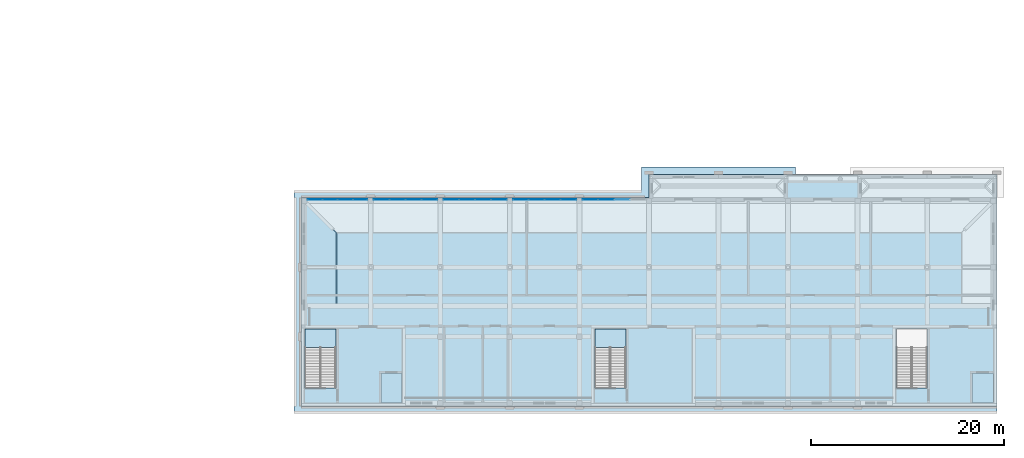
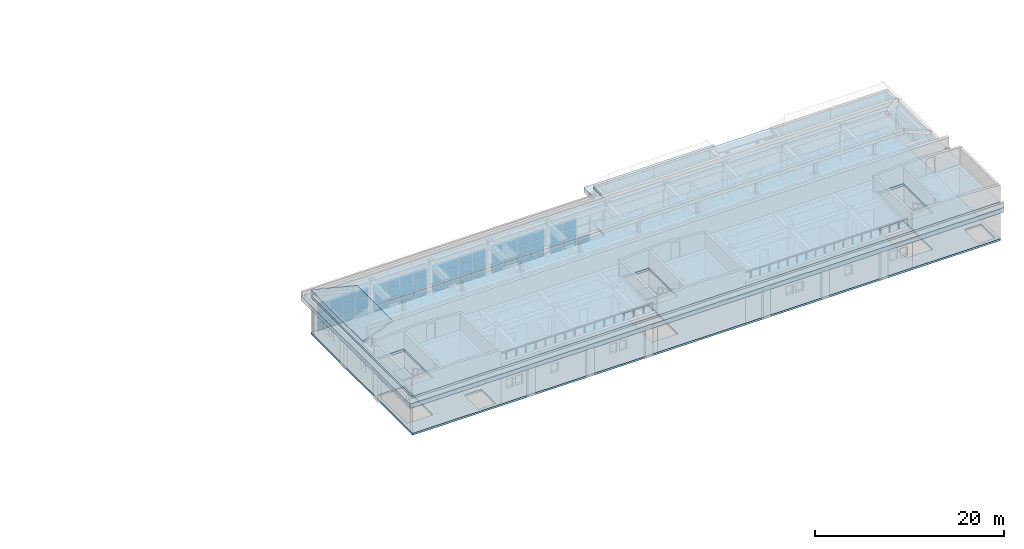
# One storey, part 25 of 48: 55 plates, 6 slabs, 7 elements without a shape of their own.
"""IFC4 building model written with IfcOpenShell, lengths in metres."""

from ifc_helpers import new_model, si_unit, direction, frame, origin, origin_2d, place, context, subcontext, project, spatial, polyline, rectangle, outline, extrude, material, layer, layer_set, type_object, element, aggregate, save


model = new_model("IFC4")

# Units and contexts
model_context = context("Model", 3, precision=1e-05, world=origin(), true_north=direction((0.0, 1.0)))
body_context = subcontext(model_context, "Body", "Model", "MODEL_VIEW")
ifc_project = project(units=[si_unit("LENGTHUNIT", "METRE"), si_unit("AREAUNIT", "SQUARE_METRE"), si_unit("VOLUMEUNIT", "CUBIC_METRE"), si_unit("PLANEANGLEUNIT", "RADIAN"), si_unit("MASSUNIT", "GRAM", prefix="KILO")], contexts=[model_context])

# Site, building, storey
site_placement = place(None, origin())
site = spatial("IfcSite", under=ifc_project, at=site_placement, CompositionType="ELEMENT")
building_placement = place(site_placement, origin())
building = spatial("IfcBuilding", under=site, at=building_placement, Name="Alderwick Market Hall", CompositionType="ELEMENT")
storey_placement = place(building_placement, frame((0.0, 0.0, 14.39990234375)))
storey = spatial("IfcBuildingStorey", under=building, at=storey_placement, Name="L02", CompositionType="ELEMENT", Elevation=14.39990234375)

# Slab
ifc_material_1 = material(Name="Concrete 5000 psi (f'c 35 MPa)", Category="concrete")
ifc_layer_1 = layer(ifc_material_1, 0.60009765625)
ifc_layer_set_1 = layer_set([ifc_layer_1], Name="Concrete 5000 psi (f'c 35 MPa)")
slab_type_1 = type_object("IfcSlabType", Name="C Cornice Slab Precast Concrete 5000 psi 600", PredefinedType="ROOF", material=ifc_layer_set_1)
slab_1_placement = place(storey_placement, frame((0.0, 0.0, 3.900146484375)))
element("IfcSlab", 1, at=slab_1_placement, inside=storey, type_object=slab_type_1, Name="C.cornice.L02.01", PredefinedType="ROOF", context=body_context, shape_type="SweptSolid", body=[
    extrude(outline(polyline([(193.64990234375, 31.949951171875), (193.64990234375, 29.550048828125), (157.64990234375, 29.550048828125), (157.64990234375, 6.449951171875), (230.39990234375, 6.449951171875), (230.39990234375, 7.199951171875), (158.39990234375, 7.199951171875), (158.39990234375, 28.800048828125), (193.64990234375, 28.800048828125), (194.39990234375, 28.800048828125), (194.39990234375, 31.199951171875), (208.800048828125, 31.199951171875), (209.550048828125, 31.199951171875), (209.550048828125, 31.949951171875), (193.64990234375, 31.949951171875)])), origin(), (0.0, 0.0, 1.0), 0.599853515625),
])

# Curtain wall, plates
ifc_material_2 = material(Name="C Curtain Wall 1800 module")
curtain_wall_type = type_object("IfcCurtainWallType", Name="C Curtain Wall 1800 module", PredefinedType="NOTDEFINED", material=ifc_material_2)
curtain_wall_1_placement = place(storey_placement, origin())
curtain_wall_1 = element("IfcCurtainWall", 2, at=curtain_wall_1_placement, inside=storey, type_object=curtain_wall_type, Name="C.cw.L02.02", PredefinedType="NOTDEFINED")
ifc_material_3 = material(Name="Laminated glass 28 mm", Category="glass")
ifc_layer_2 = layer(ifc_material_3, 0.028076171875)
ifc_layer_set_2 = layer_set([ifc_layer_2], Name="Laminated glass 28 mm")
plate_type = type_object("IfcPlateType", Name="C Curtain Wall Glass Panel 28", PredefinedType="CURTAIN_PANEL", material=ifc_layer_set_2)
plate_1_placement = place(storey_placement, frame((159.827392578125, 28.60009765625, 0.06005859375), z_axis=(0.0, 0.0, 1.0), x_axis=(1.0, 0.0, 0.0)))
plate_1 = element("IfcPlate", 3, at=plate_1_placement, type_object=plate_type, Name="C-CW panel 1.1", PredefinedType="CURTAIN_PANEL", context=body_context, shape_type="SweptSolid", body=[
    extrude(rectangle(XDim=1.485107421875, YDim=0.028076171875, at=origin_2d()), origin(), (0.0, 0.0, 1.0), 0.909912109375),
])
plate_2_placement = place(storey_placement, frame((159.827392578125, 28.60009765625, 1.0302734375), z_axis=(0.0, 0.0, 1.0), x_axis=(1.0, 0.0, 0.0)))
plate_2 = element("IfcPlate", 4, at=plate_2_placement, type_object=plate_type, Name="C-CW panel 1.2", PredefinedType="CURTAIN_PANEL", context=body_context, shape_type="SweptSolid", body=[
    extrude(rectangle(XDim=1.485107421875, YDim=0.028076171875, at=origin_2d()), origin(), (0.0, 0.0, 1.0), 1.340087890625),
])
plate_3_placement = place(storey_placement, frame((159.827392578125, 28.60009765625, 2.43017578125), z_axis=(0.0, 0.0, 1.0), x_axis=(1.0, 0.0, 0.0)))
plate_3 = element("IfcPlate", 5, at=plate_3_placement, type_object=plate_type, Name="C-CW panel 1.3", PredefinedType="CURTAIN_PANEL", context=body_context, shape_type="SweptSolid", body=[
    extrude(rectangle(XDim=1.485107421875, YDim=0.028076171875, at=origin_2d()), origin(), (0.0, 0.0, 1.0), 1.2099609375),
])
plate_4_placement = place(storey_placement, frame((161.387451171875, 28.60009765625, 0.06005859375), z_axis=(0.0, 0.0, 1.0), x_axis=(1.0, 0.0, 0.0)))
plate_4 = element("IfcPlate", 6, at=plate_4_placement, type_object=plate_type, Name="C-CW panel 2.1", PredefinedType="CURTAIN_PANEL", context=body_context, shape_type="SweptSolid", body=[
    extrude(rectangle(XDim=1.514892578125, YDim=0.028076171875, at=origin_2d()), origin(), (0.0, 0.0, 1.0), 0.909912109375),
])
plate_5_placement = place(storey_placement, frame((161.387451171875, 28.60009765625, 1.0302734375), z_axis=(0.0, 0.0, 1.0), x_axis=(1.0, 0.0, 0.0)))
plate_5 = element("IfcPlate", 7, at=plate_5_placement, type_object=plate_type, Name="C-CW panel 2.2", PredefinedType="CURTAIN_PANEL", context=body_context, shape_type="SweptSolid", body=[
    extrude(rectangle(XDim=1.514892578125, YDim=0.028076171875, at=origin_2d()), origin(), (0.0, 0.0, 1.0), 1.340087890625),
])
plate_6_placement = place(storey_placement, frame((161.387451171875, 28.60009765625, 2.43017578125), z_axis=(0.0, 0.0, 1.0), x_axis=(1.0, 0.0, 0.0)))
plate_6 = element("IfcPlate", 8, at=plate_6_placement, type_object=plate_type, Name="C-CW panel 2.3", PredefinedType="CURTAIN_PANEL", context=body_context, shape_type="SweptSolid", body=[
    extrude(rectangle(XDim=1.514892578125, YDim=0.028076171875, at=origin_2d()), origin(), (0.0, 0.0, 1.0), 1.2099609375),
])
plate_7_placement = place(storey_placement, frame((162.96240234375, 28.60009765625, 0.06005859375), z_axis=(0.0, 0.0, 1.0), x_axis=(1.0, 0.0, 0.0)))
plate_7 = element("IfcPlate", 9, at=plate_7_placement, type_object=plate_type, Name="C-CW panel 3.1", PredefinedType="CURTAIN_PANEL", context=body_context, shape_type="SweptSolid", body=[
    extrude(rectangle(XDim=1.514892578125, YDim=0.028076171875, at=origin_2d()), origin(), (0.0, 0.0, 1.0), 0.909912109375),
])
plate_8_placement = place(storey_placement, frame((162.96240234375, 28.60009765625, 1.0302734375), z_axis=(0.0, 0.0, 1.0), x_axis=(1.0, 0.0, 0.0)))
plate_8 = element("IfcPlate", 10, at=plate_8_placement, type_object=plate_type, Name="C-CW panel 3.2", PredefinedType="CURTAIN_PANEL", context=body_context, shape_type="SweptSolid", body=[
    extrude(rectangle(XDim=1.514892578125, YDim=0.028076171875, at=origin_2d()), origin(), (0.0, 0.0, 1.0), 1.340087890625),
])
plate_9_placement = place(storey_placement, frame((162.96240234375, 28.60009765625, 2.43017578125), z_axis=(0.0, 0.0, 1.0), x_axis=(1.0, 0.0, 0.0)))
plate_9 = element("IfcPlate", 11, at=plate_9_placement, type_object=plate_type, Name="C-CW panel 3.3", PredefinedType="CURTAIN_PANEL", context=body_context, shape_type="SweptSolid", body=[
    extrude(rectangle(XDim=1.514892578125, YDim=0.028076171875, at=origin_2d()), origin(), (0.0, 0.0, 1.0), 1.2099609375),
])
plate_10_placement = place(storey_placement, frame((164.5224609375, 28.60009765625, 0.06005859375), z_axis=(0.0, 0.0, 1.0), x_axis=(1.0, 0.0, 0.0)))
plate_10 = element("IfcPlate", 12, at=plate_10_placement, type_object=plate_type, Name="C-CW panel 4.1", PredefinedType="CURTAIN_PANEL", context=body_context, shape_type="SweptSolid", body=[
    extrude(rectangle(XDim=1.485107421875, YDim=0.028076171875, at=origin_2d()), origin(), (0.0, 0.0, 1.0), 0.909912109375),
])
plate_11_placement = place(storey_placement, frame((164.5224609375, 28.60009765625, 1.0302734375), z_axis=(0.0, 0.0, 1.0), x_axis=(1.0, 0.0, 0.0)))
plate_11 = element("IfcPlate", 13, at=plate_11_placement, type_object=plate_type, Name="C-CW panel 4.2", PredefinedType="CURTAIN_PANEL", context=body_context, shape_type="SweptSolid", body=[
    extrude(rectangle(XDim=1.485107421875, YDim=0.028076171875, at=origin_2d()), origin(), (0.0, 0.0, 1.0), 1.340087890625),
])
plate_12_placement = place(storey_placement, frame((164.5224609375, 28.60009765625, 2.43017578125), z_axis=(0.0, 0.0, 1.0), x_axis=(1.0, 0.0, 0.0)))
plate_12 = element("IfcPlate", 14, at=plate_12_placement, type_object=plate_type, Name="C-CW panel 4.3", PredefinedType="CURTAIN_PANEL", context=body_context, shape_type="SweptSolid", body=[
    extrude(rectangle(XDim=1.485107421875, YDim=0.028076171875, at=origin_2d()), origin(), (0.0, 0.0, 1.0), 1.2099609375),
])
aggregate(curtain_wall_1, [plate_1, plate_2, plate_3, plate_4, plate_5, plate_6, plate_7, plate_8, plate_9, plate_10, plate_11, plate_12])

curtain_wall_2_placement = place(storey_placement, origin())
curtain_wall_2 = element("IfcCurtainWall", 15, at=curtain_wall_2_placement, inside=storey, type_object=curtain_wall_type, Name="C.cw.L02.03", PredefinedType="NOTDEFINED")
plate_13_placement = place(storey_placement, frame((166.72119140625, 28.60009765625, 0.06005859375), z_axis=(0.0, 0.0, 1.0), x_axis=(1.0, 0.0, 0.0)))
plate_13 = element("IfcPlate", 16, at=plate_13_placement, type_object=plate_type, Name="C-CW panel 1.1", PredefinedType="CURTAIN_PANEL", context=body_context, shape_type="SweptSolid", body=[
    extrude(rectangle(XDim=1.572509765625, YDim=0.028076171875, at=origin_2d()), origin(), (0.0, 0.0, 1.0), 0.909912109375),
])
plate_14_placement = place(storey_placement, frame((166.72119140625, 28.60009765625, 1.0302734375), z_axis=(0.0, 0.0, 1.0), x_axis=(1.0, 0.0, 0.0)))
plate_14 = element("IfcPlate", 17, at=plate_14_placement, type_object=plate_type, Name="C-CW panel 1.2", PredefinedType="CURTAIN_PANEL", context=body_context, shape_type="SweptSolid", body=[
    extrude(rectangle(XDim=1.572509765625, YDim=0.028076171875, at=origin_2d()), origin(), (0.0, 0.0, 1.0), 1.340087890625),
])
plate_15_placement = place(storey_placement, frame((166.72119140625, 28.60009765625, 2.43017578125), z_axis=(0.0, 0.0, 1.0), x_axis=(1.0, 0.0, 0.0)))
plate_15 = element("IfcPlate", 18, at=plate_15_placement, type_object=plate_type, Name="C-CW panel 1.3", PredefinedType="CURTAIN_PANEL", context=body_context, shape_type="SweptSolid", body=[
    extrude(rectangle(XDim=1.572509765625, YDim=0.028076171875, at=origin_2d()), origin(), (0.0, 0.0, 1.0), 1.2099609375),
])
plate_16_placement = place(storey_placement, frame((168.36865234375, 28.60009765625, 0.06005859375), z_axis=(0.0, 0.0, 1.0), x_axis=(1.0, 0.0, 0.0)))
plate_16 = element("IfcPlate", 19, at=plate_16_placement, type_object=plate_type, Name="C-CW panel 2.1", PredefinedType="CURTAIN_PANEL", context=body_context, shape_type="SweptSolid", body=[
    extrude(rectangle(XDim=1.6025390625, YDim=0.028076171875, at=origin_2d()), origin(), (0.0, 0.0, 1.0), 0.909912109375),
])
plate_17_placement = place(storey_placement, frame((168.36865234375, 28.60009765625, 1.0302734375), z_axis=(0.0, 0.0, 1.0), x_axis=(1.0, 0.0, 0.0)))
plate_17 = element("IfcPlate", 20, at=plate_17_placement, type_object=plate_type, Name="C-CW panel 2.2", PredefinedType="CURTAIN_PANEL", context=body_context, shape_type="SweptSolid", body=[
    extrude(rectangle(XDim=1.6025390625, YDim=0.028076171875, at=origin_2d()), origin(), (0.0, 0.0, 1.0), 1.340087890625),
])
plate_18_placement = place(storey_placement, frame((168.36865234375, 28.60009765625, 2.43017578125), z_axis=(0.0, 0.0, 1.0), x_axis=(1.0, 0.0, 0.0)))
plate_18 = element("IfcPlate", 21, at=plate_18_placement, type_object=plate_type, Name="C-CW panel 2.3", PredefinedType="CURTAIN_PANEL", context=body_context, shape_type="SweptSolid", body=[
    extrude(rectangle(XDim=1.6025390625, YDim=0.028076171875, at=origin_2d()), origin(), (0.0, 0.0, 1.0), 1.2099609375),
])
plate_19_placement = place(storey_placement, frame((170.03125, 28.60009765625, 0.06005859375), z_axis=(0.0, 0.0, 1.0), x_axis=(1.0, 0.0, 0.0)))
plate_19 = element("IfcPlate", 22, at=plate_19_placement, type_object=plate_type, Name="C-CW panel 3.1", PredefinedType="CURTAIN_PANEL", context=body_context, shape_type="SweptSolid", body=[
    extrude(rectangle(XDim=1.6025390625, YDim=0.028076171875, at=origin_2d()), origin(), (0.0, 0.0, 1.0), 0.909912109375),
])
plate_20_placement = place(storey_placement, frame((170.03125, 28.60009765625, 1.0302734375), z_axis=(0.0, 0.0, 1.0), x_axis=(1.0, 0.0, 0.0)))
plate_20 = element("IfcPlate", 23, at=plate_20_placement, type_object=plate_type, Name="C-CW panel 3.2", PredefinedType="CURTAIN_PANEL", context=body_context, shape_type="SweptSolid", body=[
    extrude(rectangle(XDim=1.6025390625, YDim=0.028076171875, at=origin_2d()), origin(), (0.0, 0.0, 1.0), 1.340087890625),
])
plate_21_placement = place(storey_placement, frame((170.03125, 28.60009765625, 2.43017578125), z_axis=(0.0, 0.0, 1.0), x_axis=(1.0, 0.0, 0.0)))
plate_21 = element("IfcPlate", 24, at=plate_21_placement, type_object=plate_type, Name="C-CW panel 3.3", PredefinedType="CURTAIN_PANEL", context=body_context, shape_type="SweptSolid", body=[
    extrude(rectangle(XDim=1.6025390625, YDim=0.028076171875, at=origin_2d()), origin(), (0.0, 0.0, 1.0), 1.2099609375),
])
plate_22_placement = place(storey_placement, frame((171.6787109375, 28.60009765625, 0.06005859375), z_axis=(0.0, 0.0, 1.0), x_axis=(1.0, 0.0, 0.0)))
plate_22 = element("IfcPlate", 25, at=plate_22_placement, type_object=plate_type, Name="C-CW panel 4.1", PredefinedType="CURTAIN_PANEL", context=body_context, shape_type="SweptSolid", body=[
    extrude(rectangle(XDim=1.572509765625, YDim=0.028076171875, at=origin_2d()), origin(), (0.0, 0.0, 1.0), 0.909912109375),
])
plate_23_placement = place(storey_placement, frame((171.6787109375, 28.60009765625, 1.0302734375), z_axis=(0.0, 0.0, 1.0), x_axis=(1.0, 0.0, 0.0)))
plate_23 = element("IfcPlate", 26, at=plate_23_placement, type_object=plate_type, Name="C-CW panel 4.2", PredefinedType="CURTAIN_PANEL", context=body_context, shape_type="SweptSolid", body=[
    extrude(rectangle(XDim=1.572509765625, YDim=0.028076171875, at=origin_2d()), origin(), (0.0, 0.0, 1.0), 1.340087890625),
])
plate_24_placement = place(storey_placement, frame((171.6787109375, 28.60009765625, 2.43017578125), z_axis=(0.0, 0.0, 1.0), x_axis=(1.0, 0.0, 0.0)))
plate_24 = element("IfcPlate", 27, at=plate_24_placement, type_object=plate_type, Name="C-CW panel 4.3", PredefinedType="CURTAIN_PANEL", context=body_context, shape_type="SweptSolid", body=[
    extrude(rectangle(XDim=1.572509765625, YDim=0.028076171875, at=origin_2d()), origin(), (0.0, 0.0, 1.0), 1.2099609375),
])
aggregate(curtain_wall_2, [plate_13, plate_14, plate_15, plate_16, plate_17, plate_18, plate_19, plate_20, plate_21, plate_22, plate_23, plate_24])

curtain_wall_3_placement = place(storey_placement, origin())
curtain_wall_3 = element("IfcCurtainWall", 28, at=curtain_wall_3_placement, inside=storey, type_object=curtain_wall_type, Name="C.cw.L02.04", PredefinedType="NOTDEFINED")
plate_25_placement = place(storey_placement, frame((173.921142578125, 28.60009765625, 0.06005859375), z_axis=(0.0, 0.0, 1.0), x_axis=(1.0, 0.0, 0.0)))
plate_25 = element("IfcPlate", 29, at=plate_25_placement, type_object=plate_type, Name="C-CW panel 1.1", PredefinedType="CURTAIN_PANEL", context=body_context, shape_type="SweptSolid", body=[
    extrude(rectangle(XDim=1.572509765625, YDim=0.028076171875, at=origin_2d()), origin(), (0.0, 0.0, 1.0), 0.909912109375),
])
plate_26_placement = place(storey_placement, frame((173.921142578125, 28.60009765625, 1.0302734375), z_axis=(0.0, 0.0, 1.0), x_axis=(1.0, 0.0, 0.0)))
plate_26 = element("IfcPlate", 30, at=plate_26_placement, type_object=plate_type, Name="C-CW panel 1.2", PredefinedType="CURTAIN_PANEL", context=body_context, shape_type="SweptSolid", body=[
    extrude(rectangle(XDim=1.572509765625, YDim=0.028076171875, at=origin_2d()), origin(), (0.0, 0.0, 1.0), 1.340087890625),
])
plate_27_placement = place(storey_placement, frame((173.921142578125, 28.60009765625, 2.43017578125), z_axis=(0.0, 0.0, 1.0), x_axis=(1.0, 0.0, 0.0)))
plate_27 = element("IfcPlate", 31, at=plate_27_placement, type_object=plate_type, Name="C-CW panel 1.3", PredefinedType="CURTAIN_PANEL", context=body_context, shape_type="SweptSolid", body=[
    extrude(rectangle(XDim=1.572509765625, YDim=0.028076171875, at=origin_2d()), origin(), (0.0, 0.0, 1.0), 1.2099609375),
])
plate_28_placement = place(storey_placement, frame((175.56884765625, 28.60009765625, 0.06005859375), z_axis=(0.0, 0.0, 1.0), x_axis=(1.0, 0.0, 0.0)))
plate_28 = element("IfcPlate", 32, at=plate_28_placement, type_object=plate_type, Name="C-CW panel 2.1", PredefinedType="CURTAIN_PANEL", context=body_context, shape_type="SweptSolid", body=[
    extrude(rectangle(XDim=1.6025390625, YDim=0.028076171875, at=origin_2d()), origin(), (0.0, 0.0, 1.0), 0.909912109375),
])
plate_29_placement = place(storey_placement, frame((175.56884765625, 28.60009765625, 1.0302734375), z_axis=(0.0, 0.0, 1.0), x_axis=(1.0, 0.0, 0.0)))
plate_29 = element("IfcPlate", 33, at=plate_29_placement, type_object=plate_type, Name="C-CW panel 2.2", PredefinedType="CURTAIN_PANEL", context=body_context, shape_type="SweptSolid", body=[
    extrude(rectangle(XDim=1.6025390625, YDim=0.028076171875, at=origin_2d()), origin(), (0.0, 0.0, 1.0), 1.340087890625),
])
plate_30_placement = place(storey_placement, frame((175.56884765625, 28.60009765625, 2.43017578125), z_axis=(0.0, 0.0, 1.0), x_axis=(1.0, 0.0, 0.0)))
plate_30 = element("IfcPlate", 34, at=plate_30_placement, type_object=plate_type, Name="C-CW panel 2.3", PredefinedType="CURTAIN_PANEL", context=body_context, shape_type="SweptSolid", body=[
    extrude(rectangle(XDim=1.6025390625, YDim=0.028076171875, at=origin_2d()), origin(), (0.0, 0.0, 1.0), 1.2099609375),
])
plate_31_placement = place(storey_placement, frame((177.231201171875, 28.60009765625, 0.06005859375), z_axis=(0.0, 0.0, 1.0), x_axis=(1.0, 0.0, 0.0)))
plate_31 = element("IfcPlate", 35, at=plate_31_placement, type_object=plate_type, Name="C-CW panel 3.1", PredefinedType="CURTAIN_PANEL", context=body_context, shape_type="SweptSolid", body=[
    extrude(rectangle(XDim=1.6025390625, YDim=0.028076171875, at=origin_2d()), origin(), (0.0, 0.0, 1.0), 0.909912109375),
])
plate_32_placement = place(storey_placement, frame((177.231201171875, 28.60009765625, 1.0302734375), z_axis=(0.0, 0.0, 1.0), x_axis=(1.0, 0.0, 0.0)))
plate_32 = element("IfcPlate", 36, at=plate_32_placement, type_object=plate_type, Name="C-CW panel 3.2", PredefinedType="CURTAIN_PANEL", context=body_context, shape_type="SweptSolid", body=[
    extrude(rectangle(XDim=1.6025390625, YDim=0.028076171875, at=origin_2d()), origin(), (0.0, 0.0, 1.0), 1.340087890625),
])
plate_33_placement = place(storey_placement, frame((177.231201171875, 28.60009765625, 2.43017578125), z_axis=(0.0, 0.0, 1.0), x_axis=(1.0, 0.0, 0.0)))
plate_33 = element("IfcPlate", 37, at=plate_33_placement, type_object=plate_type, Name="C-CW panel 3.3", PredefinedType="CURTAIN_PANEL", context=body_context, shape_type="SweptSolid", body=[
    extrude(rectangle(XDim=1.6025390625, YDim=0.028076171875, at=origin_2d()), origin(), (0.0, 0.0, 1.0), 1.2099609375),
])
plate_34_placement = place(storey_placement, frame((178.878662109375, 28.60009765625, 0.06005859375), z_axis=(0.0, 0.0, 1.0), x_axis=(1.0, 0.0, 0.0)))
plate_34 = element("IfcPlate", 38, at=plate_34_placement, type_object=plate_type, Name="C-CW panel 4.1", PredefinedType="CURTAIN_PANEL", context=body_context, shape_type="SweptSolid", body=[
    extrude(rectangle(XDim=1.572509765625, YDim=0.028076171875, at=origin_2d()), origin(), (0.0, 0.0, 1.0), 0.909912109375),
])
plate_35_placement = place(storey_placement, frame((178.878662109375, 28.60009765625, 1.0302734375), z_axis=(0.0, 0.0, 1.0), x_axis=(1.0, 0.0, 0.0)))
plate_35 = element("IfcPlate", 39, at=plate_35_placement, type_object=plate_type, Name="C-CW panel 4.2", PredefinedType="CURTAIN_PANEL", context=body_context, shape_type="SweptSolid", body=[
    extrude(rectangle(XDim=1.572509765625, YDim=0.028076171875, at=origin_2d()), origin(), (0.0, 0.0, 1.0), 1.340087890625),
])
plate_36_placement = place(storey_placement, frame((178.878662109375, 28.60009765625, 2.43017578125), z_axis=(0.0, 0.0, 1.0), x_axis=(1.0, 0.0, 0.0)))
plate_36 = element("IfcPlate", 40, at=plate_36_placement, type_object=plate_type, Name="C-CW panel 4.3", PredefinedType="CURTAIN_PANEL", context=body_context, shape_type="SweptSolid", body=[
    extrude(rectangle(XDim=1.572509765625, YDim=0.028076171875, at=origin_2d()), origin(), (0.0, 0.0, 1.0), 1.2099609375),
])
aggregate(curtain_wall_3, [plate_25, plate_26, plate_27, plate_28, plate_29, plate_30, plate_31, plate_32, plate_33, plate_34, plate_35, plate_36])

curtain_wall_4_placement = place(storey_placement, origin())
curtain_wall_4 = element("IfcCurtainWall", 41, at=curtain_wall_4_placement, inside=storey, type_object=curtain_wall_type, Name="C.cw.L02.05", PredefinedType="NOTDEFINED")
plate_37_placement = place(storey_placement, frame((181.121337890625, 28.60009765625, 0.06005859375), z_axis=(0.0, 0.0, 1.0), x_axis=(1.0, 0.0, 0.0)))
plate_37 = element("IfcPlate", 42, at=plate_37_placement, type_object=plate_type, Name="C-CW panel 1.1", PredefinedType="CURTAIN_PANEL", context=body_context, shape_type="SweptSolid", body=[
    extrude(rectangle(XDim=1.572509765625, YDim=0.028076171875, at=origin_2d()), origin(), (0.0, 0.0, 1.0), 0.909912109375),
])
plate_38_placement = place(storey_placement, frame((181.121337890625, 28.60009765625, 1.0302734375), z_axis=(0.0, 0.0, 1.0), x_axis=(1.0, 0.0, 0.0)))
plate_38 = element("IfcPlate", 43, at=plate_38_placement, type_object=plate_type, Name="C-CW panel 1.2", PredefinedType="CURTAIN_PANEL", context=body_context, shape_type="SweptSolid", body=[
    extrude(rectangle(XDim=1.572509765625, YDim=0.028076171875, at=origin_2d()), origin(), (0.0, 0.0, 1.0), 1.340087890625),
])
plate_39_placement = place(storey_placement, frame((181.121337890625, 28.60009765625, 2.43017578125), z_axis=(0.0, 0.0, 1.0), x_axis=(1.0, 0.0, 0.0)))
plate_39 = element("IfcPlate", 44, at=plate_39_placement, type_object=plate_type, Name="C-CW panel 1.3", PredefinedType="CURTAIN_PANEL", context=body_context, shape_type="SweptSolid", body=[
    extrude(rectangle(XDim=1.572509765625, YDim=0.028076171875, at=origin_2d()), origin(), (0.0, 0.0, 1.0), 1.2099609375),
])
plate_40_placement = place(storey_placement, frame((182.768798828125, 28.60009765625, 0.06005859375), z_axis=(0.0, 0.0, 1.0), x_axis=(1.0, 0.0, 0.0)))
plate_40 = element("IfcPlate", 45, at=plate_40_placement, type_object=plate_type, Name="C-CW panel 2.1", PredefinedType="CURTAIN_PANEL", context=body_context, shape_type="SweptSolid", body=[
    extrude(rectangle(XDim=1.6025390625, YDim=0.028076171875, at=origin_2d()), origin(), (0.0, 0.0, 1.0), 0.909912109375),
])
plate_41_placement = place(storey_placement, frame((182.768798828125, 28.60009765625, 1.0302734375), z_axis=(0.0, 0.0, 1.0), x_axis=(1.0, 0.0, 0.0)))
plate_41 = element("IfcPlate", 46, at=plate_41_placement, type_object=plate_type, Name="C-CW panel 2.2", PredefinedType="CURTAIN_PANEL", context=body_context, shape_type="SweptSolid", body=[
    extrude(rectangle(XDim=1.6025390625, YDim=0.028076171875, at=origin_2d()), origin(), (0.0, 0.0, 1.0), 1.340087890625),
])
plate_42_placement = place(storey_placement, frame((182.768798828125, 28.60009765625, 2.43017578125), z_axis=(0.0, 0.0, 1.0), x_axis=(1.0, 0.0, 0.0)))
plate_42 = element("IfcPlate", 47, at=plate_42_placement, type_object=plate_type, Name="C-CW panel 2.3", PredefinedType="CURTAIN_PANEL", context=body_context, shape_type="SweptSolid", body=[
    extrude(rectangle(XDim=1.6025390625, YDim=0.028076171875, at=origin_2d()), origin(), (0.0, 0.0, 1.0), 1.2099609375),
])
plate_43_placement = place(storey_placement, frame((184.43115234375, 28.60009765625, 0.06005859375), z_axis=(0.0, 0.0, 1.0), x_axis=(1.0, 0.0, 0.0)))
plate_43 = element("IfcPlate", 48, at=plate_43_placement, type_object=plate_type, Name="C-CW panel 3.1", PredefinedType="CURTAIN_PANEL", context=body_context, shape_type="SweptSolid", body=[
    extrude(rectangle(XDim=1.6025390625, YDim=0.028076171875, at=origin_2d()), origin(), (0.0, 0.0, 1.0), 0.909912109375),
])
plate_44_placement = place(storey_placement, frame((184.43115234375, 28.60009765625, 1.0302734375), z_axis=(0.0, 0.0, 1.0), x_axis=(1.0, 0.0, 0.0)))
plate_44 = element("IfcPlate", 49, at=plate_44_placement, type_object=plate_type, Name="C-CW panel 3.2", PredefinedType="CURTAIN_PANEL", context=body_context, shape_type="SweptSolid", body=[
    extrude(rectangle(XDim=1.6025390625, YDim=0.028076171875, at=origin_2d()), origin(), (0.0, 0.0, 1.0), 1.340087890625),
])
plate_45_placement = place(storey_placement, frame((184.43115234375, 28.60009765625, 2.43017578125), z_axis=(0.0, 0.0, 1.0), x_axis=(1.0, 0.0, 0.0)))
plate_45 = element("IfcPlate", 50, at=plate_45_placement, type_object=plate_type, Name="C-CW panel 3.3", PredefinedType="CURTAIN_PANEL", context=body_context, shape_type="SweptSolid", body=[
    extrude(rectangle(XDim=1.6025390625, YDim=0.028076171875, at=origin_2d()), origin(), (0.0, 0.0, 1.0), 1.2099609375),
])
plate_46_placement = place(storey_placement, frame((186.078857421875, 28.60009765625, 0.06005859375), z_axis=(0.0, 0.0, 1.0), x_axis=(1.0, 0.0, 0.0)))
plate_46 = element("IfcPlate", 51, at=plate_46_placement, type_object=plate_type, Name="C-CW panel 4.1", PredefinedType="CURTAIN_PANEL", context=body_context, shape_type="SweptSolid", body=[
    extrude(rectangle(XDim=1.572509765625, YDim=0.028076171875, at=origin_2d()), origin(), (0.0, 0.0, 1.0), 0.909912109375),
])
plate_47_placement = place(storey_placement, frame((186.078857421875, 28.60009765625, 1.0302734375), z_axis=(0.0, 0.0, 1.0), x_axis=(1.0, 0.0, 0.0)))
plate_47 = element("IfcPlate", 52, at=plate_47_placement, type_object=plate_type, Name="C-CW panel 4.2", PredefinedType="CURTAIN_PANEL", context=body_context, shape_type="SweptSolid", body=[
    extrude(rectangle(XDim=1.572509765625, YDim=0.028076171875, at=origin_2d()), origin(), (0.0, 0.0, 1.0), 1.340087890625),
])
plate_48_placement = place(storey_placement, frame((186.078857421875, 28.60009765625, 2.43017578125), z_axis=(0.0, 0.0, 1.0), x_axis=(1.0, 0.0, 0.0)))
plate_48 = element("IfcPlate", 53, at=plate_48_placement, type_object=plate_type, Name="C-CW panel 4.3", PredefinedType="CURTAIN_PANEL", context=body_context, shape_type="SweptSolid", body=[
    extrude(rectangle(XDim=1.572509765625, YDim=0.028076171875, at=origin_2d()), origin(), (0.0, 0.0, 1.0), 1.2099609375),
])
aggregate(curtain_wall_4, [plate_37, plate_38, plate_39, plate_40, plate_41, plate_42, plate_43, plate_44, plate_45, plate_46, plate_47, plate_48])

curtain_wall_5_placement = place(storey_placement, origin())
curtain_wall_5 = element("IfcCurtainWall", 54, at=curtain_wall_5_placement, inside=storey, type_object=curtain_wall_type, Name="C.cw.L02.06", PredefinedType="NOTDEFINED")
plate_49_placement = place(storey_placement, frame((188.3212890625, 28.60009765625, 0.06005859375), z_axis=(0.0, 0.0, 1.0), x_axis=(1.0, 0.0, 0.0)))
plate_49 = element("IfcPlate", 55, at=plate_49_placement, type_object=plate_type, Name="C-CW panel 1.1", PredefinedType="CURTAIN_PANEL", context=body_context, shape_type="SweptSolid", body=[
    extrude(rectangle(XDim=1.572509765625, YDim=0.028076171875, at=origin_2d()), origin(), (0.0, 0.0, 1.0), 0.909912109375),
])
plate_50_placement = place(storey_placement, frame((188.3212890625, 28.60009765625, 1.0302734375), z_axis=(0.0, 0.0, 1.0), x_axis=(1.0, 0.0, 0.0)))
plate_50 = element("IfcPlate", 56, at=plate_50_placement, type_object=plate_type, Name="C-CW panel 1.2", PredefinedType="CURTAIN_PANEL", context=body_context, shape_type="SweptSolid", body=[
    extrude(rectangle(XDim=1.572509765625, YDim=0.028076171875, at=origin_2d()), origin(), (0.0, 0.0, 1.0), 1.340087890625),
])
plate_51_placement = place(storey_placement, frame((188.3212890625, 28.60009765625, 2.43017578125), z_axis=(0.0, 0.0, 1.0), x_axis=(1.0, 0.0, 0.0)))
plate_51 = element("IfcPlate", 57, at=plate_51_placement, type_object=plate_type, Name="C-CW panel 1.3", PredefinedType="CURTAIN_PANEL", context=body_context, shape_type="SweptSolid", body=[
    extrude(rectangle(XDim=1.572509765625, YDim=0.028076171875, at=origin_2d()), origin(), (0.0, 0.0, 1.0), 1.2099609375),
])
plate_52_placement = place(storey_placement, frame((189.96875, 28.60009765625, 0.06005859375), z_axis=(0.0, 0.0, 1.0), x_axis=(1.0, 0.0, 0.0)))
plate_52 = element("IfcPlate", 58, at=plate_52_placement, type_object=plate_type, Name="C-CW panel 2.1", PredefinedType="CURTAIN_PANEL", context=body_context, shape_type="SweptSolid", body=[
    extrude(rectangle(XDim=1.6025390625, YDim=0.028076171875, at=origin_2d()), origin(), (0.0, 0.0, 1.0), 0.909912109375),
])
plate_53_placement = place(storey_placement, frame((189.96875, 28.60009765625, 1.0302734375), z_axis=(0.0, 0.0, 1.0), x_axis=(1.0, 0.0, 0.0)))
plate_53 = element("IfcPlate", 59, at=plate_53_placement, type_object=plate_type, Name="C-CW panel 2.2", PredefinedType="CURTAIN_PANEL", context=body_context, shape_type="SweptSolid", body=[
    extrude(rectangle(XDim=1.6025390625, YDim=0.028076171875, at=origin_2d()), origin(), (0.0, 0.0, 1.0), 1.340087890625),
])
plate_54_placement = place(storey_placement, frame((189.96875, 28.60009765625, 2.43017578125), z_axis=(0.0, 0.0, 1.0), x_axis=(1.0, 0.0, 0.0)))
plate_54 = element("IfcPlate", 60, at=plate_54_placement, type_object=plate_type, Name="C-CW panel 2.3", PredefinedType="CURTAIN_PANEL", context=body_context, shape_type="SweptSolid", body=[
    extrude(rectangle(XDim=1.6025390625, YDim=0.028076171875, at=origin_2d()), origin(), (0.0, 0.0, 1.0), 1.2099609375),
])
plate_55_placement = place(storey_placement, frame((191.63134765625, 28.60009765625, 0.06005859375), z_axis=(0.0, 0.0, 1.0), x_axis=(1.0, 0.0, 0.0)))
plate_55 = element("IfcPlate", 61, at=plate_55_placement, type_object=plate_type, Name="C-CW panel 3.1", PredefinedType="CURTAIN_PANEL", context=body_context, shape_type="SweptSolid", body=[
    extrude(rectangle(XDim=1.6025390625, YDim=0.028076171875, at=origin_2d()), origin(), (0.0, 0.0, 1.0), 0.909912109375),
])
aggregate(curtain_wall_5, [plate_49, plate_50, plate_51, plate_52, plate_53, plate_54, plate_55])

# Slabs
ifc_material_4 = material(Name="Concrete 4000 psi (f'c 28 MPa)", Category="concrete")
ifc_layer_3 = layer(ifc_material_4, 0.25)
ifc_layer_set_3 = layer_set([ifc_layer_3], Name="Concrete 4000 psi (f'c 28 MPa)")
slab_type_2 = type_object("IfcSlabType", Name="C Floor Slab Concrete 4000 psi 250", PredefinedType="FLOOR", material=ifc_layer_set_3)
slab_2_placement = place(storey_placement, frame((0.0, 0.0, -0.25)))
element("IfcSlab", 62, at=slab_2_placement, inside=storey, type_object=slab_type_2, Name="C.slab.L02.01", PredefinedType="FLOOR", context=body_context, shape_type="SweptSolid", body=[
    extrude(outline(polyline([(230.39990234375, 7.199951171875), (230.39990234375, 31.199951171875), (194.39990234375, 31.199951171875), (194.39990234375, 28.800048828125), (158.39990234375, 28.800048828125), (158.39990234375, 7.199951171875), (230.39990234375, 7.199951171875)]), holes=[polyline([(158.800048828125, 15.199951171875), (162.0, 15.199951171875), (162.0, 9.110107421875), (158.800048828125, 9.110107421875), (158.800048828125, 15.199951171875)]), polyline([(166.699951171875, 10.60009765625), (168.800048828125, 10.60009765625), (168.800048828125, 7.60009765625), (166.699951171875, 7.60009765625), (166.699951171875, 10.60009765625)]), polyline([(188.800048828125, 15.199951171875), (192.0, 15.199951171875), (192.0, 9.110107421875), (188.800048828125, 9.110107421875), (188.800048828125, 15.199951171875)]), polyline([(220.0, 15.199951171875), (223.199951171875, 15.199951171875), (223.199951171875, 9.110107421875), (220.0, 9.110107421875), (220.0, 15.199951171875)]), polyline([(227.89990234375, 10.60009765625), (230.0, 10.60009765625), (230.0, 7.60009765625), (227.89990234375, 7.60009765625), (227.89990234375, 10.60009765625)])]), origin(), (0.0, 0.0, 1.0), 0.25),
])
ifc_layer_4 = layer(ifc_material_1, 0.25)
ifc_layer_set_4 = layer_set([ifc_layer_4], Name="Concrete 5000 psi (f'c 35 MPa)")
slab_type_3 = type_object("IfcSlabType", Name="C Mansard Roof Slab Concrete 5000 psi 250", PredefinedType="ROOF", material=ifc_layer_set_4)
slab_3_placement = place(storey_placement, frame((158.39990234375, 28.800048828125, 5.51953125), z_axis=(-0.373591298385, 0.0, 0.92759341404), x_axis=(0.0, -1.0, 0.0)))
element("IfcSlab", 63, at=slab_3_placement, inside=storey, type_object=slab_type_3, Name="C.roofslab.L02.west", PredefinedType="ROOF", context=body_context, shape_type="SweptSolid", body=[
    extrude(outline(polyline([(0.0, 0.0), (11.0, 0.0), (11.0, 3.8811160167351906), (3.60009765625, 3.8811160167351906), (0.0, 0.0)])), origin(), (0.0, 0.0, -1.0), 0.25),
])
ifc_layer_5 = layer(ifc_material_4, 0.300048828125)
ifc_layer_set_5 = layer_set([ifc_layer_5], Name="Concrete 4000 psi (f'c 28 MPa)")
slab_type_4 = type_object("IfcSlabType", Name="C Roof Slab Concrete 4000 psi 300 with Paved Terrace Build-up", PredefinedType="ROOF", material=ifc_layer_set_5)
slab_4_placement = place(storey_placement, frame((0.0, 0.0, 4.5)))
element("IfcSlab", 64, at=slab_4_placement, inside=storey, type_object=slab_type_4, Name="C.roofslab.L02.01", PredefinedType="ROOF", context=body_context, shape_type="SweptSolid", body=[
    extrude(outline(polyline([(230.39990234375, 7.199951171875), (230.39990234375, 31.199951171875), (194.39990234375, 31.199951171875), (194.39990234375, 28.800048828125), (158.39990234375, 28.800048828125), (158.39990234375, 7.199951171875), (230.39990234375, 7.199951171875)]), holes=[polyline([(158.800048828125, 15.199951171875), (162.0, 15.199951171875), (162.0, 9.110107421875), (158.800048828125, 9.110107421875), (158.800048828125, 15.199951171875)]), polyline([(188.800048828125, 15.199951171875), (192.0, 15.199951171875), (192.0, 9.110107421875), (188.800048828125, 9.110107421875), (188.800048828125, 15.199951171875)]), polyline([(220.0, 15.199951171875), (223.199951171875, 15.199951171875), (223.199951171875, 9.110107421875), (220.0, 9.110107421875), (220.0, 15.199951171875)])]), origin(), (0.0, 0.0, 1.0), 0.300048828125),
])

# Stair, slab
stair_type = type_object("IfcStairType", Name="C Exit Stair 1600", PredefinedType="HALF_TURN_STAIR", material=ifc_material_1)
stair_1_placement = place(storey_placement, origin())
stair_1 = element("IfcStair", 65, at=stair_1_placement, inside=storey, type_object=stair_type, Name="C.stair.L02.A", PredefinedType="HALF_TURN_STAIR")
ifc_layer_6 = layer(ifc_material_1, 0.199951171875)
ifc_layer_set_6 = layer_set([ifc_layer_6], Name="Concrete 5000 psi (f'c 35 MPa)")
slab_type_5 = type_object("IfcSlabType", Name="C Stair Landing Concrete 5000 psi 200", PredefinedType="LANDING", material=ifc_layer_set_6)
slab_5_placement = place(storey_placement, frame((0.0, 0.0, 2.2001953125)))
slab_5 = element("IfcSlab", 66, at=slab_5_placement, type_object=slab_type_5, Name="C-ST-A-L02 landing 1", PredefinedType="LANDING", context=body_context, shape_type="SweptSolid", body=[
    extrude(outline(polyline([(158.800048828125, 15.199951171875), (162.0, 15.199951171875), (162.0, 13.300048828125), (158.800048828125, 13.300048828125), (158.800048828125, 15.199951171875)])), origin(), (0.0, 0.0, 1.0), 0.199951171875),
])
aggregate(stair_1, [slab_5])

stair_2_placement = place(storey_placement, origin())
stair_2 = element("IfcStair", 67, at=stair_2_placement, inside=storey, type_object=stair_type, Name="C.stair.L02.B", PredefinedType="HALF_TURN_STAIR")
slab_6_placement = place(storey_placement, frame((0.0, 0.0, 2.2001953125)))
slab_6 = element("IfcSlab", 68, at=slab_6_placement, type_object=slab_type_5, Name="C-ST-B-L02 landing 1", PredefinedType="LANDING", context=body_context, shape_type="SweptSolid", body=[
    extrude(outline(polyline([(188.800048828125, 15.199951171875), (192.0, 15.199951171875), (192.0, 13.300048828125), (188.800048828125, 13.300048828125), (188.800048828125, 15.199951171875)])), origin(), (0.0, 0.0, 1.0), 0.199951171875),
])
aggregate(stair_2, [slab_6])

save(model, "model.ifc")
